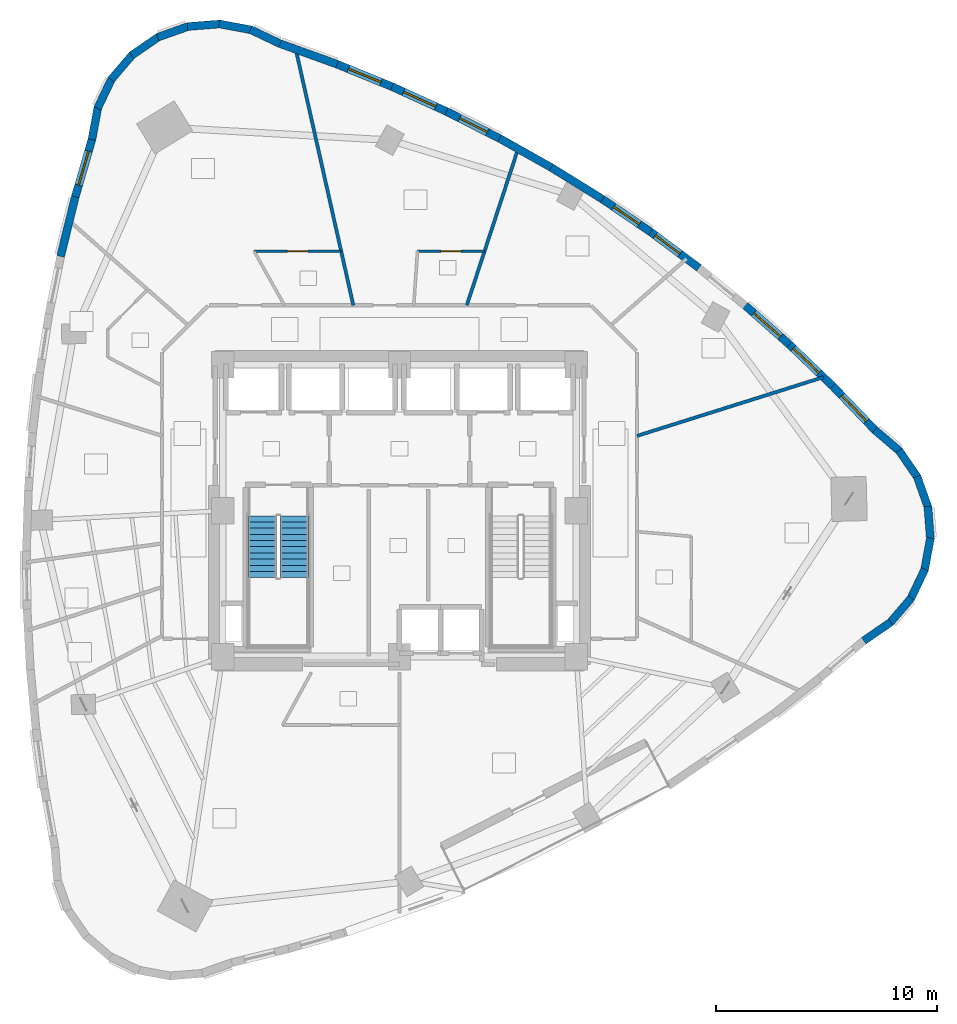
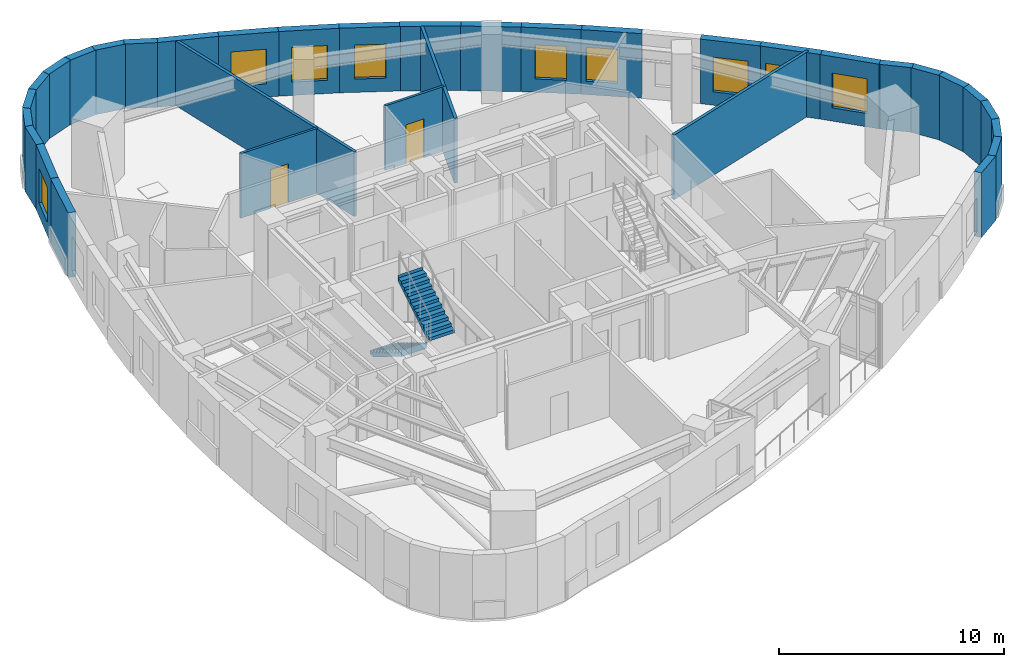
# One storey, part 8 of 12: 34 walls, 9 windows, 2 doors, 2 stair flights, 11 openings, 1 element without a shape of its own.
"""IFC4 building model written with IfcOpenShell, lengths in metres."""

from ifc_helpers import new_model, si_unit, direction, frame, frame_2d, origin, place, context, subcontext, project, spatial, polyline, rectangle, outline, extrude, material, layer, layer_set, type_object, element, fill, aggregate, save


model = new_model("IFC4")

# Units and contexts
model_context = context("Model", 3, precision=1e-05, world=origin(), true_north=direction((0.0, 1.0)))
body_context = subcontext(model_context, "Body", "Model", "MODEL_VIEW")
ifc_project = project(units=[si_unit("LENGTHUNIT", "METRE"), si_unit("AREAUNIT", "SQUARE_METRE"), si_unit("VOLUMEUNIT", "CUBIC_METRE"), si_unit("PLANEANGLEUNIT", "RADIAN"), si_unit("MASSUNIT", "GRAM", prefix="KILO")], contexts=[model_context])

# Site, building, storey
site_placement = place(None, origin())
site = spatial("IfcSite", under=ifc_project, at=site_placement, CompositionType="ELEMENT")
building_placement = place(site_placement, origin())
building = spatial("IfcBuilding", under=site, at=building_placement, Name="Ndelora Gate Hotel", CompositionType="ELEMENT")
storey_placement = place(building_placement, frame((0.0, 0.0, 112.25)))
storey = spatial("IfcBuildingStorey", under=building, at=storey_placement, Name="L27", CompositionType="ELEMENT", Elevation=112.25)

# Walls
ifc_material_1 = material(Name="Clay Brick Masonry", Category="masonry")
ifc_layer_1 = layer(ifc_material_1, 0.360107421875)
ifc_layer_set_1 = layer_set([ifc_layer_1], Name="Clay Brick Masonry")
wall_type_1 = type_object("IfcWallType", Name="WL-BRICK-360", PredefinedType="SOLIDWALL", material=ifc_layer_set_1)
wall_1_placement = place(storey_placement, frame((-6.749267578125, 21.779052734375, 0.0), z_axis=(0.0, 0.0, 1.0), x_axis=(0.902586982789, -0.430507535938, 0.0)))
element("IfcWall", 1, at=wall_1_placement, inside=storey, type_object=wall_type_1, Name="L27 Tower Brick Pier-and-Spandrel Wall TWR-1", PredefinedType="SOLIDWALL", context=body_context, shape_type="SweptSolid", body=[
    extrude(rectangle(XDim=1.48583984375, YDim=0.360107421875, at=frame_2d((0.742919921875, 0.0))), origin(), (0.0, 0.0, 1.0), 3.5),
])
wall_2_placement = place(storey_placement, frame((-8.1630859375, 22.034423828125, 0.0), z_axis=(0.0, 0.0, 1.0), x_axis=(0.983262389335, -0.182195152844, 0.0)))
element("IfcWall", 2, at=wall_2_placement, inside=storey, type_object=wall_type_1, Name="L27 Tower Brick Pier-and-Spandrel Wall TWR-2", PredefinedType="SOLIDWALL", context=body_context, shape_type="SweptSolid", body=[
    extrude(rectangle(XDim=1.486083984375, YDim=0.360107421875, at=frame_2d((0.7431640625, 0.0))), origin(), (0.0, 0.0, 1.0), 3.5),
])
wall_3_placement = place(storey_placement, frame((-9.594482421875, 21.915283203125, 0.0), z_axis=(0.0, 0.0, 1.0), x_axis=(0.996922531952, 0.078393018091, 0.0)))
element("IfcWall", 3, at=wall_3_placement, inside=storey, type_object=wall_type_1, Name="L27 Tower Brick Pier-and-Spandrel Wall TWR-3", PredefinedType="SOLIDWALL", context=body_context, shape_type="SweptSolid", body=[
    extrude(rectangle(XDim=1.485595703125, YDim=0.360107421875, at=frame_2d((0.74267578125, 0.0))), origin(), (0.0, 0.0, 1.0), 3.5),
])
wall_4_placement = place(storey_placement, frame((-10.94677734375, 21.4296875, 0.0), z_axis=(0.0, 0.0, 1.0), x_axis=(0.942671384708, 0.33372243025, 0.0)))
element("IfcWall", 4, at=wall_4_placement, inside=storey, type_object=wall_type_1, Name="L27 Tower Brick Pier-and-Spandrel Wall TWR-4", PredefinedType="SOLIDWALL", context=body_context, shape_type="SweptSolid", body=[
    extrude(rectangle(XDim=1.48583984375, YDim=0.360107421875, at=frame_2d((0.742919921875, 0.0))), origin(), (0.0, 0.0, 1.0), 3.5),
])
wall_5_placement = place(storey_placement, frame((-12.126953125, 20.610595703125, 0.0), z_axis=(0.0, 0.0, 1.0), x_axis=(0.824104250472, 0.566438155808, 0.0)))
element("IfcWall", 5, at=wall_5_placement, inside=storey, type_object=wall_type_1, Name="L27 Tower Brick Pier-and-Spandrel Wall TWR-5", PredefinedType="SOLIDWALL", context=body_context, shape_type="SweptSolid", body=[
    extrude(rectangle(XDim=1.485595703125, YDim=0.360107421875, at=frame_2d((0.74267578125, 0.0))), origin(), (0.0, 0.0, 1.0), 3.5),
])
for number, where, z_axis, x_axis, name in (
    (6, (-13.05517578125, 19.513916015625, 0.0), (0.0, 0.0, 1.0), (0.649477934003, 0.760380439809, 0.0), "L27 Tower Brick Pier-and-Spandrel Wall TWR-6"),
    (7, (-13.667724609375, 18.21435546875, 0.0), (0.0, 0.0, 1.0), (0.430507535938, 0.902586982789, 0.0), "L27 Tower Brick Pier-and-Spandrel Wall TWR-7"),
):
    element("IfcWall", number, at=place(storey_placement, frame(where, z_axis=z_axis, x_axis=x_axis)), inside=storey, type_object=wall_type_1, Name=name, PredefinedType="SOLIDWALL", context=body_context, shape_type="SweptSolid", body=[
        extrude(rectangle(XDim=1.48583984375, YDim=0.360107421875, at=frame_2d((0.742919921875, 0.0))), origin(), (0.0, 0.0, 1.0), 3.5),
    ])
wall_6_placement = place(storey_placement, frame((-13.92333984375, 16.800537109375, 0.0), z_axis=(0.0, 0.0, 1.0), x_axis=(0.18235397995, 0.983232945947, 0.0)))
element("IfcWall", 8, at=wall_6_placement, inside=storey, type_object=wall_type_1, Name="L27 Tower Brick Pier-and-Spandrel Wall TWR-8", PredefinedType="SOLIDWALL", context=body_context, shape_type="SweptSolid", body=[
    extrude(rectangle(XDim=1.486083984375, YDim=0.360107421875, at=frame_2d((0.7431640625, 0.0))), origin(), (0.0, 0.0, 1.0), 3.5),
])

# Wall, opening, window
wall_7_placement = place(storey_placement, frame((-14.69140625, 14.15869140625, 0.0), z_axis=(0.0, 0.0, 1.0), x_axis=(0.278379734644, 0.960471094484, 0.0)))
wall_7 = element("IfcWall", 9, at=wall_7_placement, inside=storey, type_object=wall_type_1, Name="L27 Tower Brick Pier-and-Spandrel Wall TWR-9", PredefinedType="SOLIDWALL", context=body_context, shape_type="SweptSolid", body=[
    extrude(rectangle(XDim=2.80126953125, YDim=0.360107421875, at=frame_2d((1.400634765625, 0.0))), origin(), (0.0, 0.0, 1.0), 3.5),
])
opening_1_placement = place(wall_7_placement, frame((0.6005859375, 0.0, 0.719970703125)))
opening_1 = element("IfcOpeningElement", 10, at=opening_1_placement, cuts=wall_7, Name="Opening W03", PredefinedType="OPENING", context=body_context, shape_type="SweptSolid", body=[
    extrude(rectangle(XDim=1.60009765625, YDim=1.8798828125, at=frame_2d((0.800048828125, 0.93994140625))), frame((0.0, 0.18994140625, 0.0), z_axis=(0.0, -1.0, 0.0), x_axis=(1.0, 0.0, 0.0)), (0.0, 0.0, 1.0), 0.380126953125),
])
ifc_material_2 = material(Name="Insulated Low-E Double Glazing in Bronze Aluminium Frame", Category="aluminium")
window_type_1 = type_object("IfcWindowType", Name="WN-CORN-2100", PartitioningType="SINGLE_PANEL", PredefinedType="WINDOW", material=ifc_material_2)
window_1_placement = place(opening_1_placement, origin())
window_1 = element("IfcWindow", 11, at=window_1_placement, inside=storey, type_object=window_type_1, Name="L27 Deep-Set Brick-Pier Window W03", OverallHeight=1.8798828125, OverallWidth=1.60009765625, PartitioningType="SINGLE_PANEL", PredefinedType="WINDOW", context=body_context, shape_type="SweptSolid", body=[
    extrude(rectangle(XDim=1.60009765625, YDim=1.8798828125, at=frame_2d((0.800048828125, 0.93994140625))), frame((0.0, 0.030029296875, 0.0), z_axis=(0.0, -1.0, 0.0), x_axis=(1.0, 0.0, 0.0)), (0.0, 0.0, 1.0), 0.06005859375),
])
fill(opening_1, window_1)

# Walls
wall_8_placement = place(storey_placement, frame((-15.34228515625, 11.510009765625, 0.0), z_axis=(0.0, 0.0, 1.0), x_axis=(0.238997371457, 0.971020214227, 0.0)))
element("IfcWall", 12, at=wall_8_placement, inside=storey, type_object=wall_type_1, Name="L27 Tower Brick Pier-and-Spandrel Wall TWR-10", PredefinedType="SOLIDWALL", context=body_context, shape_type="SweptSolid", body=[
    extrude(rectangle(XDim=2.777587890625, YDim=0.360107421875, at=frame_2d((1.388671875, 0.0))), origin(), (0.0, 0.0, 1.0), 3.5),
])
for number, where, z_axis, x_axis, name in (
    (13, (22.235595703125, -5.04443359375, 0.0), (0.0, 0.0, 1.0), (-0.824104250472, -0.566438155808, 0.0), "L27 Tower Brick Pier-and-Spandrel Wall TWR-39"),
    (14, (23.163818359375, -3.947998046875, 0.0), (0.0, 0.0, 1.0), (-0.649464075578, -0.760392276745, 0.0), "L27 Tower Brick Pier-and-Spandrel Wall TWR-40"),
):
    element("IfcWall", number, at=place(storey_placement, frame(where, z_axis=z_axis, x_axis=x_axis)), inside=storey, type_object=wall_type_1, Name=name, PredefinedType="SOLIDWALL", context=body_context, shape_type="SweptSolid", body=[
        extrude(rectangle(XDim=1.485595703125, YDim=0.360107421875, at=frame_2d((0.74267578125, 0.0))), origin(), (0.0, 0.0, 1.0), 3.5),
    ])
for number, where, z_axis, x_axis, name in (
    (15, (23.776611328125, -2.6484375, 0.0), (0.0, 0.0, 1.0), (-0.430641383823, -0.902523129088, 0.0), "L27 Tower Brick Pier-and-Spandrel Wall TWR-41"),
    (16, (24.031982421875, -1.234619140625, 0.0), (0.0, 0.0, 1.0), (-0.18238343996, -0.98322748173, 0.0), "L27 Tower Brick Pier-and-Spandrel Wall TWR-42"),
    (17, (23.91259765625, 0.197021484375, 0.0), (0.0, 0.0, 1.0), (0.078543482647, -0.996910688745, 0.0), "L27 Tower Brick Pier-and-Spandrel Wall TWR-43"),
):
    element("IfcWall", number, at=place(storey_placement, frame(where, z_axis=z_axis, x_axis=x_axis)), inside=storey, type_object=wall_type_1, Name=name, PredefinedType="SOLIDWALL", context=body_context, shape_type="SweptSolid", body=[
        extrude(rectangle(XDim=1.48583984375, YDim=0.360107421875, at=frame_2d((0.742919921875, 0.0))), origin(), (0.0, 0.0, 1.0), 3.5),
    ])
for number, where, z_axis, x_axis, name in (
    (18, (23.427001953125, 1.54931640625, 0.0), (0.0, 0.0, 1.0), (0.333816731602, -0.942637995045, 0.0), "L27 Tower Brick Pier-and-Spandrel Wall TWR-44"),
    (19, (22.60791015625, 2.7294921875, 0.0), (0.0, 0.0, 1.0), (0.56647304132, -0.824080271247, 0.0), "L27 Tower Brick Pier-and-Spandrel Wall TWR-45"),
):
    element("IfcWall", number, at=place(storey_placement, frame(where, z_axis=z_axis, x_axis=x_axis)), inside=storey, type_object=wall_type_1, Name=name, PredefinedType="SOLIDWALL", context=body_context, shape_type="SweptSolid", body=[
        extrude(rectangle(XDim=1.486083984375, YDim=0.360107421875, at=frame_2d((0.7431640625, 0.0))), origin(), (0.0, 0.0, 1.0), 3.5),
    ])
wall_9_placement = place(storey_placement, frame((21.511474609375, 3.657470703125, 0.0), z_axis=(0.0, 0.0, 1.0), x_axis=(0.760392276745, -0.649464075578, 0.0)))
element("IfcWall", 20, at=wall_9_placement, inside=storey, type_object=wall_type_1, Name="L27 Tower Brick Pier-and-Spandrel Wall TWR-46", PredefinedType="SOLIDWALL", context=body_context, shape_type="SweptSolid", body=[
    extrude(rectangle(XDim=1.485595703125, YDim=0.360107421875, at=frame_2d((0.74267578125, 0.0))), origin(), (0.0, 0.0, 1.0), 3.5),
])

# Wall, opening, window
wall_10_placement = place(storey_placement, frame((19.607421875, 5.643798828125, 0.0), z_axis=(0.0, 0.0, 1.0), x_axis=(0.692624348053, -0.72129849056, 0.0)))
wall_10 = element("IfcWall", 21, at=wall_10_placement, inside=storey, type_object=wall_type_1, Name="L27 Tower Brick Pier-and-Spandrel Wall TWR-47", PredefinedType="SOLIDWALL", context=body_context, shape_type="SweptSolid", body=[
    extrude(rectangle(XDim=2.80126953125, YDim=0.360107421875, at=frame_2d((1.400634765625, 0.0))), origin(), (0.0, 0.0, 1.0), 3.5),
])
opening_2_placement = place(wall_10_placement, frame((0.6005859375, 0.0, 0.719970703125)))
opening_2 = element("IfcOpeningElement", 22, at=opening_2_placement, cuts=wall_10, Name="Opening W01", PredefinedType="OPENING", context=body_context, shape_type="SweptSolid", body=[
    extrude(rectangle(XDim=1.60009765625, YDim=1.8798828125, at=frame_2d((0.800048828125, 0.93994140625))), frame((0.0, 0.18994140625, 0.0), z_axis=(0.0, -1.0, 0.0), x_axis=(1.0, 0.0, 0.0)), (0.0, 0.0, 1.0), 0.380126953125),
])
window_type_2 = type_object("IfcWindowType", Name="WN-DEEP-1600", PartitioningType="SINGLE_PANEL", PredefinedType="WINDOW", material=ifc_material_2)
window_2_placement = place(opening_2_placement, origin())
window_2 = element("IfcWindow", 23, at=window_2_placement, inside=storey, type_object=window_type_2, Name="L27 Deep-Set Brick-Pier Window W01", OverallHeight=1.8798828125, OverallWidth=1.60009765625, PartitioningType="SINGLE_PANEL", PredefinedType="WINDOW", context=body_context, shape_type="SweptSolid", body=[
    extrude(rectangle(XDim=1.60009765625, YDim=1.8798828125, at=frame_2d((0.800048828125, 0.93994140625))), frame((0.0, 0.030029296875, 0.0), z_axis=(0.0, -1.0, 0.0), x_axis=(1.0, 0.0, 0.0)), (0.0, 0.0, 1.0), 0.06005859375),
])
fill(opening_2, window_2)

wall_11_placement = place(storey_placement, frame((17.63916015625, 7.531982421875, 0.0), z_axis=(0.0, 0.0, 1.0), x_axis=(0.721375025509, -0.692544635797, 0.0)))
wall_11 = element("IfcWall", 24, at=wall_11_placement, inside=storey, type_object=wall_type_1, Name="L27 Tower Brick Pier-and-Spandrel Wall TWR-48", PredefinedType="SOLIDWALL", context=body_context, shape_type="SweptSolid", body=[
    extrude(rectangle(XDim=2.777587890625, YDim=0.360107421875, at=frame_2d((1.388671875, 0.0))), origin(), (0.0, 0.0, 1.0), 3.5),
])
opening_3_placement = place(wall_11_placement, frame((0.260009765625, 0.0, 0.719970703125)))
opening_3 = element("IfcOpeningElement", 25, at=opening_3_placement, cuts=wall_11, Name="Opening W01", PredefinedType="OPENING", context=body_context, shape_type="SweptSolid", body=[
    extrude(rectangle(XDim=1.60009765625, YDim=1.8798828125, at=frame_2d((0.800048828125, 0.93994140625))), frame((0.0, 0.18994140625, 0.0), z_axis=(0.0, -1.0, 0.0), x_axis=(1.0, 0.0, 0.0)), (0.0, 0.0, 1.0), 0.380126953125),
])
window_3_placement = place(opening_3_placement, origin())
window_3 = element("IfcWindow", 26, at=window_3_placement, inside=storey, type_object=window_type_2, Name="L27 Deep-Set Brick-Pier Window W01", OverallHeight=1.8798828125, OverallWidth=1.60009765625, PartitioningType="SINGLE_PANEL", PredefinedType="WINDOW", context=body_context, shape_type="SweptSolid", body=[
    extrude(rectangle(XDim=1.60009765625, YDim=1.8798828125, at=frame_2d((0.800048828125, 0.93994140625))), frame((0.0, 0.030029296875, 0.0), z_axis=(0.0, -1.0, 0.0), x_axis=(1.0, 0.0, 0.0)), (0.0, 0.0, 1.0), 0.06005859375),
])
fill(opening_3, window_3)

wall_12_placement = place(storey_placement, frame((15.60888671875, 9.32470703125, 0.0), z_axis=(0.0, 0.0, 1.0), x_axis=(0.749310700852, -0.662218599549, 0.0)))
wall_12 = element("IfcWall", 27, at=wall_12_placement, inside=storey, type_object=wall_type_1, Name="L27 Tower Brick Pier-and-Spandrel Wall TWR-49", PredefinedType="SOLIDWALL", context=body_context, shape_type="SweptSolid", body=[
    extrude(rectangle(XDim=2.75830078125, YDim=0.360107421875, at=frame_2d((1.379150390625, 0.0))), origin(), (0.0, 0.0, 1.0), 3.5),
])
opening_4_placement = place(wall_12_placement, frame((0.5791015625, 0.0, 0.719970703125)))
opening_4 = element("IfcOpeningElement", 28, at=opening_4_placement, cuts=wall_12, Name="Opening W03", PredefinedType="OPENING", context=body_context, shape_type="SweptSolid", body=[
    extrude(rectangle(XDim=1.60009765625, YDim=1.8798828125, at=frame_2d((0.800048828125, 0.93994140625))), frame((0.0, 0.18994140625, 0.0), z_axis=(0.0, -1.0, 0.0), x_axis=(1.0, 0.0, 0.0)), (0.0, 0.0, 1.0), 0.380126953125),
])
window_4_placement = place(opening_4_placement, origin())
window_4 = element("IfcWindow", 29, at=window_4_placement, inside=storey, type_object=window_type_1, Name="L27 Deep-Set Brick-Pier Window W03", OverallHeight=1.8798828125, OverallWidth=1.60009765625, PartitioningType="SINGLE_PANEL", PredefinedType="WINDOW", context=body_context, shape_type="SweptSolid", body=[
    extrude(rectangle(XDim=1.60009765625, YDim=1.8798828125, at=frame_2d((0.800048828125, 0.93994140625))), frame((0.0, 0.030029296875, 0.0), z_axis=(0.0, -1.0, 0.0), x_axis=(1.0, 0.0, 0.0)), (0.0, 0.0, 1.0), 0.06005859375),
])
fill(opening_4, window_4)

wall_13_placement = place(storey_placement, frame((11.362060546875, 12.623046875, 0.0), z_axis=(0.0, 0.0, 1.0), x_axis=(0.802329676415, -0.596881135859, 0.0)))
wall_13 = element("IfcWall", 30, at=wall_13_placement, inside=storey, type_object=wall_type_1, Name="L27 Tower Brick Pier-and-Spandrel Wall TWR-51", PredefinedType="SOLIDWALL", context=body_context, shape_type="SweptSolid", body=[
    extrude(rectangle(XDim=2.734375, YDim=0.360107421875, at=frame_2d((1.3671875, 0.0))), origin(), (0.0, 0.0, 1.0), 3.5),
])
opening_5_placement = place(wall_13_placement, frame((0.260009765625, 0.0, 0.719970703125)))
opening_5 = element("IfcOpeningElement", 31, at=opening_5_placement, cuts=wall_13, Name="Opening W02", PredefinedType="OPENING", context=body_context, shape_type="SweptSolid", body=[
    extrude(rectangle(XDim=1.39990234375, YDim=1.840087890625, at=frame_2d((0.699951171875, 0.919921875))), frame((0.0, 0.18994140625, 0.0), z_axis=(0.0, -1.0, 0.0), x_axis=(1.0, 0.0, 0.0)), (0.0, 0.0, 1.0), 0.380126953125),
])
window_type_3 = type_object("IfcWindowType", Name="WN-DEEP-1400", PartitioningType="SINGLE_PANEL", PredefinedType="WINDOW", material=ifc_material_2)
window_5_placement = place(opening_5_placement, origin())
window_5 = element("IfcWindow", 32, at=window_5_placement, inside=storey, type_object=window_type_3, Name="L27 Deep-Set Brick-Pier Window W02", OverallHeight=1.840087890625, OverallWidth=1.39990234375, PartitioningType="SINGLE_PANEL", PredefinedType="WINDOW", context=body_context, shape_type="SweptSolid", body=[
    extrude(rectangle(XDim=1.39990234375, YDim=1.840087890625, at=frame_2d((0.699951171875, 0.919921875))), frame((0.0, 0.030029296875, 0.0), z_axis=(0.0, -1.0, 0.0), x_axis=(1.0, 0.0, 0.0)), (0.0, 0.0, 1.0), 0.06005859375),
])
fill(opening_5, window_5)

wall_14_placement = place(storey_placement, frame((9.145751953125, 14.129150390625, 0.0), z_axis=(0.0, 0.0, 1.0), x_axis=(0.826868273885, -0.562395641557, 0.0)))
wall_14 = element("IfcWall", 33, at=wall_14_placement, inside=storey, type_object=wall_type_1, Name="L27 Tower Brick Pier-and-Spandrel Wall TWR-52", PredefinedType="SOLIDWALL", context=body_context, shape_type="SweptSolid", body=[
    extrude(rectangle(XDim=2.729736328125, YDim=0.360107421875, at=frame_2d((1.36474609375, 0.0))), origin(), (0.0, 0.0, 1.0), 3.5),
])
opening_6_placement = place(wall_14_placement, frame((0.664794921875, 0.0, 0.719970703125)))
opening_6 = element("IfcOpeningElement", 34, at=opening_6_placement, cuts=wall_14, Name="Opening W02", PredefinedType="OPENING", context=body_context, shape_type="SweptSolid", body=[
    extrude(rectangle(XDim=1.39990234375, YDim=1.840087890625, at=frame_2d((0.699951171875, 0.919921875))), frame((0.0, 0.18994140625, 0.0), z_axis=(0.0, -1.0, 0.0), x_axis=(1.0, 0.0, 0.0)), (0.0, 0.0, 1.0), 0.380126953125),
])
window_6_placement = place(opening_6_placement, origin())
window_6 = element("IfcWindow", 35, at=window_6_placement, inside=storey, type_object=window_type_3, Name="L27 Deep-Set Brick-Pier Window W02", OverallHeight=1.840087890625, OverallWidth=1.39990234375, PartitioningType="SINGLE_PANEL", PredefinedType="WINDOW", context=body_context, shape_type="SweptSolid", body=[
    extrude(rectangle(XDim=1.39990234375, YDim=1.840087890625, at=frame_2d((0.699951171875, 0.919921875))), frame((0.0, 0.030029296875, 0.0), z_axis=(0.0, -1.0, 0.0), x_axis=(1.0, 0.0, 0.0)), (0.0, 0.0, 1.0), 0.06005859375),
])
fill(opening_6, window_6)

# Walls
wall_15_placement = place(storey_placement, frame((6.8671875, 15.53955078125, 0.0), z_axis=(0.0, 0.0, 1.0), x_axis=(0.850066866235, -0.526674779091, 0.0)))
element("IfcWall", 36, at=wall_15_placement, inside=storey, type_object=wall_type_1, Name="L27 Tower Brick Pier-and-Spandrel Wall TWR-53", PredefinedType="SOLIDWALL", context=body_context, shape_type="SweptSolid", body=[
    extrude(rectangle(XDim=2.729736328125, YDim=0.360107421875, at=frame_2d((1.36474609375, 0.0))), origin(), (0.0, 0.0, 1.0), 3.5),
])
wall_16_placement = place(storey_placement, frame((4.527099609375, 16.8544921875, 0.0), z_axis=(0.0, 0.0, 1.0), x_axis=(0.871580305906, -0.490252761702, 0.0)))
element("IfcWall", 37, at=wall_16_placement, inside=storey, type_object=wall_type_1, Name="L27 Tower Brick Pier-and-Spandrel Wall TWR-54", PredefinedType="SOLIDWALL", context=body_context, shape_type="SweptSolid", body=[
    extrude(rectangle(XDim=2.734375, YDim=0.360107421875, at=frame_2d((1.3671875, 0.0))), origin(), (0.0, 0.0, 1.0), 3.5),
])

# Wall, opening, window
wall_17_placement = place(storey_placement, frame((2.124755859375, 18.073486328125, 0.0), z_axis=(0.0, 0.0, 1.0), x_axis=(0.891561759687, -0.452899137406, 0.0)))
wall_17 = element("IfcWall", 38, at=wall_17_placement, inside=storey, type_object=wall_type_1, Name="L27 Tower Brick Pier-and-Spandrel Wall TWR-55", PredefinedType="SOLIDWALL", context=body_context, shape_type="SweptSolid", body=[
    extrude(rectangle(XDim=2.743896484375, YDim=0.360107421875, at=frame_2d((1.3720703125, 0.0))), origin(), (0.0, 0.0, 1.0), 3.5),
])
opening_7_placement = place(wall_17_placement, frame((0.672119140625, 0.0, 0.719970703125)))
opening_7 = element("IfcOpeningElement", 39, at=opening_7_placement, cuts=wall_17, Name="Opening W02", PredefinedType="OPENING", context=body_context, shape_type="SweptSolid", body=[
    extrude(rectangle(XDim=1.39990234375, YDim=1.840087890625, at=frame_2d((0.699951171875, 0.919921875))), frame((0.0, 0.18994140625, 0.0), z_axis=(0.0, -1.0, 0.0), x_axis=(1.0, 0.0, 0.0)), (0.0, 0.0, 1.0), 0.380126953125),
])
window_7_placement = place(opening_7_placement, origin())
window_7 = element("IfcWindow", 40, at=window_7_placement, inside=storey, type_object=window_type_3, Name="L27 Deep-Set Brick-Pier Window W02", OverallHeight=1.840087890625, OverallWidth=1.39990234375, PartitioningType="SINGLE_PANEL", PredefinedType="WINDOW", context=body_context, shape_type="SweptSolid", body=[
    extrude(rectangle(XDim=1.39990234375, YDim=1.840087890625, at=frame_2d((0.699951171875, 0.919921875))), frame((0.0, 0.030029296875, 0.0), z_axis=(0.0, -1.0, 0.0), x_axis=(1.0, 0.0, 0.0)), (0.0, 0.0, 1.0), 0.06005859375),
])
fill(opening_7, window_7)

wall_18_placement = place(storey_placement, frame((-0.339599609375, 19.197509765625, 0.0), z_axis=(0.0, 0.0, 1.0), x_axis=(0.909692365211, -0.415282796028, 0.0)))
wall_18 = element("IfcWall", 41, at=wall_18_placement, inside=storey, type_object=wall_type_1, Name="L27 Tower Brick Pier-and-Spandrel Wall TWR-56", PredefinedType="SOLIDWALL", context=body_context, shape_type="SweptSolid", body=[
    extrude(rectangle(XDim=2.75830078125, YDim=0.360107421875, at=frame_2d((1.379150390625, 0.0))), origin(), (0.0, 0.0, 1.0), 3.5),
])
opening_8_placement = place(wall_18_placement, frame((0.579345703125, 0.0, 0.719970703125)))
opening_8 = element("IfcOpeningElement", 42, at=opening_8_placement, cuts=wall_18, Name="Opening W01", PredefinedType="OPENING", context=body_context, shape_type="SweptSolid", body=[
    extrude(rectangle(XDim=1.60009765625, YDim=1.8798828125, at=frame_2d((0.800048828125, 0.93994140625))), frame((0.0, 0.18994140625, 0.0), z_axis=(0.0, -1.0, 0.0), x_axis=(1.0, 0.0, 0.0)), (0.0, 0.0, 1.0), 0.380126953125),
])
window_8_placement = place(opening_8_placement, origin())
window_8 = element("IfcWindow", 43, at=window_8_placement, inside=storey, type_object=window_type_2, Name="L27 Deep-Set Brick-Pier Window W01", OverallHeight=1.8798828125, OverallWidth=1.60009765625, PartitioningType="SINGLE_PANEL", PredefinedType="WINDOW", context=body_context, shape_type="SweptSolid", body=[
    extrude(rectangle(XDim=1.60009765625, YDim=1.8798828125, at=frame_2d((0.800048828125, 0.93994140625))), frame((0.0, 0.030029296875, 0.0), z_axis=(0.0, -1.0, 0.0), x_axis=(1.0, 0.0, 0.0)), (0.0, 0.0, 1.0), 0.06005859375),
])
fill(opening_8, window_8)

wall_19_placement = place(storey_placement, frame((-2.865966796875, 20.2255859375, 0.0), z_axis=(0.0, 0.0, 1.0), x_axis=(0.926106009393, -0.377263381958, 0.0)))
wall_19 = element("IfcWall", 44, at=wall_19_placement, inside=storey, type_object=wall_type_1, Name="L27 Tower Brick Pier-and-Spandrel Wall TWR-57", PredefinedType="SOLIDWALL", context=body_context, shape_type="SweptSolid", body=[
    extrude(rectangle(XDim=2.777587890625, YDim=0.360107421875, at=frame_2d((1.388671875, 0.0))), origin(), (0.0, 0.0, 1.0), 3.5),
])
opening_9_placement = place(wall_19_placement, frame((0.5888671875, 0.0, 0.719970703125)))
opening_9 = element("IfcOpeningElement", 45, at=opening_9_placement, cuts=wall_19, Name="Opening W03", PredefinedType="OPENING", context=body_context, shape_type="SweptSolid", body=[
    extrude(rectangle(XDim=1.60009765625, YDim=1.8798828125, at=frame_2d((0.800048828125, 0.93994140625))), frame((0.0, 0.18994140625, 0.0), z_axis=(0.0, -1.0, 0.0), x_axis=(1.0, 0.0, 0.0)), (0.0, 0.0, 1.0), 0.380126953125),
])
window_9_placement = place(opening_9_placement, origin())
window_9 = element("IfcWindow", 46, at=window_9_placement, inside=storey, type_object=window_type_1, Name="L27 Deep-Set Brick-Pier Window W03", OverallHeight=1.8798828125, OverallWidth=1.60009765625, PartitioningType="SINGLE_PANEL", PredefinedType="WINDOW", context=body_context, shape_type="SweptSolid", body=[
    extrude(rectangle(XDim=1.60009765625, YDim=1.8798828125, at=frame_2d((0.800048828125, 0.93994140625))), frame((0.0, 0.030029296875, 0.0), z_axis=(0.0, -1.0, 0.0), x_axis=(1.0, 0.0, 0.0)), (0.0, 0.0, 1.0), 0.06005859375),
])
fill(opening_9, window_9)

# Walls
wall_20_placement = place(storey_placement, frame((-5.4541015625, 21.15869140625, 0.0), z_axis=(0.0, 0.0, 1.0), x_axis=(0.94061266542, -0.339481683822, 0.0)))
element("IfcWall", 47, at=wall_20_placement, inside=storey, type_object=wall_type_1, Name="L27 Tower Brick Pier-and-Spandrel Wall TWR-58", PredefinedType="SOLIDWALL", context=body_context, shape_type="SweptSolid", body=[
    extrude(rectangle(XDim=2.801025390625, YDim=0.360107421875, at=frame_2d((1.400390625, 0.0))), origin(), (0.0, 0.0, 1.0), 3.5),
])
ifc_material_3 = material(Name="Fire-Rated Gypsum Stud Partition", Category="gypsum")
ifc_layer_2 = layer(ifc_material_3, 0.14990234375)
ifc_layer_set_2 = layer_set([ifc_layer_2], Name="Fire-Rated Gypsum Stud Partition")
wall_type_2 = type_object("IfcWallType", Name="WL-PART-150", PredefinedType="PARTITIONING", material=ifc_layer_set_2)
wall_21_placement = place(storey_placement, frame((10.75, 3.386962890625, 0.0), z_axis=(0.0, 0.0, 1.0), x_axis=(0.953780573383, 0.300503939804, 0.0)))
element("IfcWall", 48, at=wall_21_placement, inside=storey, type_object=wall_type_2, Name="L27 Interior Wall IW-5", PredefinedType="PARTITIONING", context=body_context, shape_type="SweptSolid", body=[
    extrude(rectangle(XDim=8.8466796875, YDim=0.14990234375, at=frame_2d((4.42333984375, 0.0))), origin(), (0.0, 0.0, 1.0), 3.5),
])
wall_22_placement = place(storey_placement, frame((3.04638671875, 9.300048828125, 0.0), z_axis=(0.0, 0.0, 1.0), x_axis=(0.31130966002, 0.950308526521, 0.0)))
element("IfcWall", 49, at=wall_22_placement, inside=storey, type_object=wall_type_2, Name="L27 Interior Wall IW-5", PredefinedType="PARTITIONING", context=body_context, shape_type="SweptSolid", body=[
    extrude(rectangle(XDim=7.45263671875, YDim=0.14990234375, at=frame_2d((3.726318359375, 0.0))), origin(), (0.0, 0.0, 1.0), 3.5),
])
wall_23_placement = place(storey_placement, frame((-2.091552734375, 9.300048828125, 0.0), z_axis=(0.0, 0.0, 1.0), x_axis=(-0.219430983932, 0.975628025064, 0.0)))
element("IfcWall", 50, at=wall_23_placement, inside=storey, type_object=wall_type_2, Name="L27 Interior Wall IW-5", PredefinedType="PARTITIONING", context=body_context, shape_type="SweptSolid", body=[
    extrude(rectangle(XDim=11.874755859375, YDim=0.14990234375, at=frame_2d((5.9375, 0.0))), origin(), (0.0, 0.0, 1.0), 3.5),
])

# Wall, opening, door
ifc_material_4 = material(Name="Moisture-Resistant Bathroom Tile Partition", Category="gypsum")
ifc_layer_3 = layer(ifc_material_4, 0.1201171875)
ifc_layer_set_3 = layer_set([ifc_layer_3], Name="Moisture-Resistant Bathroom Tile Partition")
wall_type_3 = type_object("IfcWallType", Name="WL-WET-120", PredefinedType="PARTITIONING", material=ifc_layer_set_3)
wall_24_placement = place(storey_placement, frame((0.814208984375, 11.75, 0.0), z_axis=(0.0, 0.0, 1.0), x_axis=(1.0, 0.0, 0.0)))
wall_24 = element("IfcWall", 51, at=wall_24_placement, inside=storey, type_object=wall_type_3, Name="L27 Interior Wall IW-7", PredefinedType="PARTITIONING", context=body_context, shape_type="SweptSolid", body=[
    extrude(rectangle(XDim=3.034912109375, YDim=0.1201171875, at=frame_2d((1.517578125, 0.0))), origin(), (0.0, 0.0, 1.0), 3.5),
])
opening_10_placement = place(wall_24_placement, frame((1.057373046875, 0.0, 0.0)))
opening_10 = element("IfcOpeningElement", 52, at=opening_10_placement, cuts=wall_24, Name="Opening D03", PredefinedType="OPENING", context=body_context, shape_type="SweptSolid", body=[
    extrude(rectangle(XDim=0.919921875, YDim=2.10009765625, at=frame_2d((0.4599609375, 1.050048828125))), frame((0.0, 0.070068359375, 0.0), z_axis=(0.0, -1.0, 0.0), x_axis=(1.0, 0.0, 0.0)), (0.0, 0.0, 1.0), 0.14013671875),
])
ifc_material_5 = material(Name="Moisture-Resistant Hardwood En-Suite Door", Category="wood")
door_type = type_object("IfcDoorType", Name="DR-BATH-920", OperationType="SINGLE_SWING_LEFT", PredefinedType="DOOR", material=ifc_material_5)
door_1_placement = place(opening_10_placement, origin())
door_1 = element("IfcDoor", 53, at=door_1_placement, inside=storey, type_object=door_type, Name="L27 En-suite Bathroom 3003 Door", OperationType="SINGLE_SWING_RIGHT", OverallHeight=2.10009765625, OverallWidth=0.919921875, PredefinedType="DOOR", context=body_context, shape_type="SweptSolid", body=[
    extrude(rectangle(XDim=0.919921875, YDim=2.10009765625, at=frame_2d((0.4599609375, 1.050048828125))), frame((0.0, 0.02490234375, 0.0), z_axis=(0.0, -1.0, 0.0), x_axis=(1.0, 0.0, 0.0)), (0.0, 0.0, 1.0), 0.050048828125),
])
fill(opening_10, door_1)

wall_25_placement = place(storey_placement, frame((-6.58251953125, 11.75, 0.0), z_axis=(0.0, 0.0, 1.0), x_axis=(1.0, 0.0, 0.0)))
wall_25 = element("IfcWall", 54, at=wall_25_placement, inside=storey, type_object=wall_type_3, Name="L27 Interior Wall IW-7", PredefinedType="PARTITIONING", context=body_context, shape_type="SweptSolid", body=[
    extrude(rectangle(XDim=3.93994140625, YDim=0.1201171875, at=frame_2d((1.969970703125, 0.0))), origin(), (0.0, 0.0, 1.0), 3.5),
])
opening_11_placement = place(wall_25_placement, frame((1.510009765625, 0.0, 0.0)))
opening_11 = element("IfcOpeningElement", 55, at=opening_11_placement, cuts=wall_25, Name="Opening D03", PredefinedType="OPENING", context=body_context, shape_type="SweptSolid", body=[
    extrude(rectangle(XDim=0.919921875, YDim=2.10009765625, at=frame_2d((0.4599609375, 1.050048828125))), frame((0.0, 0.070068359375, 0.0), z_axis=(0.0, -1.0, 0.0), x_axis=(1.0, 0.0, 0.0)), (0.0, 0.0, 1.0), 0.14013671875),
])
door_2_placement = place(opening_11_placement, origin())
door_2 = element("IfcDoor", 56, at=door_2_placement, inside=storey, type_object=door_type, Name="L27 En-suite Bathroom 3004 Door", OperationType="SINGLE_SWING_LEFT", OverallHeight=2.10009765625, OverallWidth=0.919921875, PredefinedType="DOOR", context=body_context, shape_type="SweptSolid", body=[
    extrude(rectangle(XDim=0.919921875, YDim=2.10009765625, at=frame_2d((0.4599609375, 1.050048828125))), frame((0.0, 0.02490234375, 0.0), z_axis=(0.0, -1.0, 0.0), x_axis=(1.0, 0.0, 0.0)), (0.0, 0.0, 1.0), 0.050048828125),
])
fill(opening_11, door_2)

# Stair, stair flights
ifc_material_6 = material(Name="Precast concrete C40/50", Category="concrete")
stair_type = type_object("IfcStairType", Name="STR-DOG-CORE", PredefinedType="HALF_TURN_STAIR", material=ifc_material_6)
stair_placement = place(storey_placement, origin())
stair = element("IfcStair", 57, at=stair_placement, inside=storey, type_object=stair_type, Name="L27 Protected Core Exit Stair ST4", PredefinedType="HALF_TURN_STAIR")
stair_flight_type = type_object("IfcStairFlightType", Name="STF-PRECAST", PredefinedType="STRAIGHT", material=ifc_material_6)
stair_flight_1_placement = place(storey_placement, frame((-6.2099609375, -0.22998046875, 0.0), z_axis=(0.0, 0.0, 1.0), x_axis=(0.0, -1.0, 0.0)))
stair_flight_1 = element("IfcStairFlight", 58, at=stair_flight_1_placement, type_object=stair_flight_type, Name="ST4 flight 1", NumberOfRisers=11, NumberOfTreads=10, PredefinedType="STRAIGHT", RiserHeight=0.170454545, TreadLength=0.28, context=body_context, shape_type="SweptSolid", body=[
    extrude(outline(polyline([(-0.00048828125, 0.0), (-0.00048828125, 0.17041015625), (0.0, 0.17041015625), (0.280029296875, 0.17041015625), (0.280029296875, 0.3408203125), (0.56005859375, 0.3408203125), (0.56005859375, 0.511474609375), (0.840087890625, 0.511474609375), (0.840087890625, 0.681884765625), (1.1201171875, 0.681884765625), (1.1201171875, 0.852294921875), (1.39990234375, 0.852294921875), (1.39990234375, 1.022705078125), (1.679931640625, 1.022705078125), (1.679931640625, 1.193115234375), (1.9599609375, 1.193115234375), (1.9599609375, 1.363525390625), (2.239990234375, 1.363525390625), (2.239990234375, 1.5341796875), (2.52001953125, 1.5341796875), (2.52001953125, 1.70458984375), (2.800048828125, 1.70458984375), (2.800048828125, 1.875), (2.800537109375, 1.875), (2.800537109375, 1.695068359375), (2.800048828125, 1.529052734375), (0.288330078125, 0.0), (-0.00048828125, 0.0)])), frame((0.0, 0.64013671875, 0.0), z_axis=(0.0, -1.0, 0.0), x_axis=(1.0, 0.0, 0.0)), (0.0, 0.0, 1.0), 1.280029296875),
])
stair_flight_2_placement = place(storey_placement, frame((-4.77001953125, -3.030029296875, 1.875), z_axis=(0.0, 0.0, 1.0), x_axis=(0.0, 1.0, 0.0)))
stair_flight_2 = element("IfcStairFlight", 59, at=stair_flight_2_placement, type_object=stair_flight_type, Name="ST4 flight 2", NumberOfRisers=11, NumberOfTreads=10, PredefinedType="STRAIGHT", RiserHeight=0.170454545, TreadLength=0.28, context=body_context, shape_type="SweptSolid", body=[
    extrude(outline(polyline([(-0.00048828125, 0.0), (-0.00048828125, 0.17041015625), (0.0, 0.17041015625), (0.280029296875, 0.17041015625), (0.280029296875, 0.3408203125), (0.56005859375, 0.3408203125), (0.56005859375, 0.511474609375), (0.840087890625, 0.511474609375), (0.840087890625, 0.681884765625), (1.1201171875, 0.681884765625), (1.1201171875, 0.852294921875), (1.39990234375, 0.852294921875), (1.39990234375, 1.022705078125), (1.679931640625, 1.022705078125), (1.679931640625, 1.193115234375), (1.9599609375, 1.193115234375), (1.9599609375, 1.363525390625), (2.239990234375, 1.363525390625), (2.239990234375, 1.5341796875), (2.52001953125, 1.5341796875), (2.52001953125, 1.70458984375), (2.800048828125, 1.70458984375), (2.800048828125, 1.875), (2.800537109375, 1.875), (2.800537109375, 1.695068359375), (2.800048828125, 1.529052734375), (0.288330078125, 0.0), (-0.00048828125, 0.0)])), frame((0.0, 0.64013671875, 0.0), z_axis=(0.0, -1.0, 0.0), x_axis=(1.0, 0.0, 0.0)), (0.0, 0.0, 1.0), 1.280029296875),
])
aggregate(stair, [stair_flight_1, stair_flight_2])

save(model, "model.ifc")
